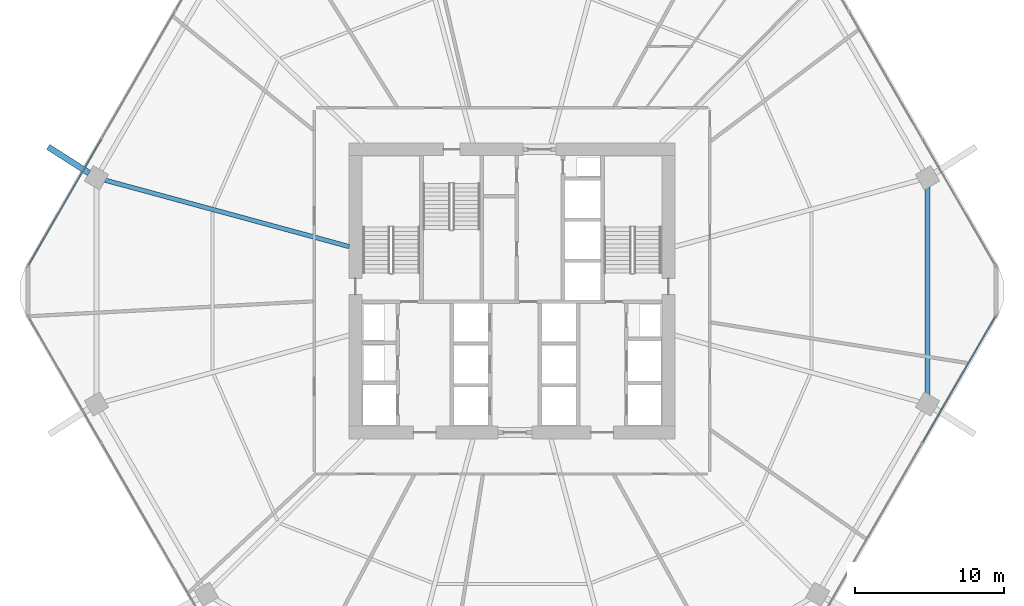
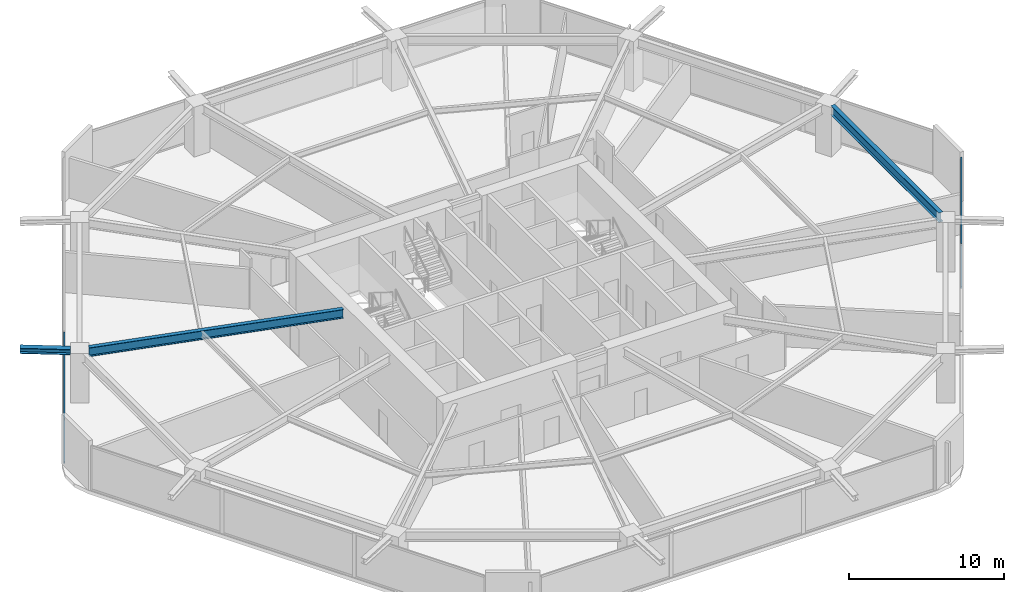
# One storey, part 12 of 26: 4 members, 3 beams, 2 elements without a shape of their own.
"""IFC4 building model written with IfcOpenShell, lengths in metres."""

from ifc_helpers import new_model, si_unit, direction, frame, origin, origin_2d, place, context, subcontext, project, spatial, hollow_rectangle, i_section, extrude, material, material_profile, profile_set, type_object, element, aggregate, save


model = new_model("IFC4")

# Units and contexts
model_context = context("Model", 3, precision=1e-05, world=origin(), true_north=direction((0.0, 1.0)))
body_context = subcontext(model_context, "Body", "Model", "MODEL_VIEW")
ifc_project = project(units=[si_unit("LENGTHUNIT", "METRE"), si_unit("AREAUNIT", "SQUARE_METRE"), si_unit("VOLUMEUNIT", "CUBIC_METRE"), si_unit("PLANEANGLEUNIT", "RADIAN"), si_unit("MASSUNIT", "GRAM", prefix="KILO")], contexts=[model_context])

# Site, building, storey
site_placement = place(None, origin())
site = spatial("IfcSite", under=ifc_project, at=site_placement, CompositionType="ELEMENT")
building_placement = place(site_placement, origin())
building = spatial("IfcBuilding", under=site, at=building_placement, Name="Zuhravey Tower", CompositionType="ELEMENT")
storey_placement = place(building_placement, frame((0.0, 0.0, 28.800048828125)))
storey = spatial("IfcBuildingStorey", under=building, at=storey_placement, Name="L07", CompositionType="ELEMENT", Elevation=28.800048828125)

# Curtain wall, members
ifc_material_1 = material(Name="Thermally broken anodised aluminium", Category="aluminium")
curtain_wall_type = type_object("IfcCurtainWallType", Name="School Low-E Unitised Curtain Wall CW1", PredefinedType="NOTDEFINED", material=ifc_material_1)
curtain_wall_1_placement = place(storey_placement, origin())
curtain_wall_1 = element("IfcCurtainWall", 1, at=curtain_wall_1_placement, inside=storey, type_object=curtain_wall_type, Name="L07 CW1 CW-L07-F6-1", PredefinedType="NOTDEFINED")
ifc_material_2 = material(Name="Anodised aluminium", Category="aluminium")
ifc_material_profile_1 = material_profile(ifc_material_2, hollow_rectangle(XDim=0.090087890625, YDim=0.14990234375, WallThickness=0.0048828125, at=origin_2d()), Name="ALU-RHS-90x150x5")
ifc_profile_set_1 = profile_set([ifc_material_profile_1], Name="Anodised aluminium")
member_type = type_object("IfcMemberType", Name="Curtain-Wall Transom 90x150", PredefinedType="USERDEFINED", material=ifc_profile_set_1)
member_1_placement = place(storey_placement, frame((68.43359375, 30.259521484375, 0.044921875), z_axis=(-0.500008393077, -0.866020557985, 0.0), x_axis=(0.866020557985, -0.500008393077, 0.0)))
member_1 = element("IfcMember", 2, at=member_1_placement, type_object=member_type, Name="CW1 transom 1.1", ObjectType="TRANSOM", PredefinedType="USERDEFINED", context=body_context, shape_type="SweptSolid", body=[
    extrude(hollow_rectangle(XDim=0.090087890625, YDim=0.14990234375, WallThickness=0.0048828125, at=origin_2d()), origin(), (0.0, 0.0, 1.0), 9.731201171875),
])
member_2_placement = place(storey_placement, frame((68.43359375, 30.259521484375, 3.447021484375), z_axis=(-0.500008393077, -0.866020557985, 0.0), x_axis=(0.866020557985, -0.500008393077, 0.0)))
member_2 = element("IfcMember", 3, at=member_2_placement, type_object=member_type, Name="CW1 transom 1.2", ObjectType="TRANSOM", PredefinedType="USERDEFINED", context=body_context, shape_type="SweptSolid", body=[
    extrude(hollow_rectangle(XDim=0.090087890625, YDim=0.14990234375, WallThickness=0.0048828125, at=origin_2d()), origin(), (0.0, 0.0, 1.0), 9.731201171875),
])
aggregate(curtain_wall_1, [member_1, member_2])

curtain_wall_2_placement = place(storey_placement, origin())
curtain_wall_2 = element("IfcCurtainWall", 4, at=curtain_wall_2_placement, inside=storey, type_object=curtain_wall_type, Name="L07 CW1 CW-L07-F3-1", PredefinedType="NOTDEFINED")
member_3_placement = place(storey_placement, frame((3.56640625, 33.740478515625, 0.044921875), z_axis=(0.500008393077, 0.866020557985, 0.0), x_axis=(-0.866020557985, 0.500008393077, 0.0)))
member_3 = element("IfcMember", 5, at=member_3_placement, type_object=member_type, Name="CW1 transom 1.1", ObjectType="TRANSOM", PredefinedType="USERDEFINED", context=body_context, shape_type="SweptSolid", body=[
    extrude(hollow_rectangle(XDim=0.090087890625, YDim=0.14990234375, WallThickness=0.0048828125, at=origin_2d()), origin(), (0.0, 0.0, 1.0), 9.731201171875),
])
member_4_placement = place(storey_placement, frame((3.56640625, 33.740478515625, 3.447021484375), z_axis=(0.500008393077, 0.866020557985, 0.0), x_axis=(-0.866020557985, 0.500008393077, 0.0)))
member_4 = element("IfcMember", 6, at=member_4_placement, type_object=member_type, Name="CW1 transom 1.2", ObjectType="TRANSOM", PredefinedType="USERDEFINED", context=body_context, shape_type="SweptSolid", body=[
    extrude(hollow_rectangle(XDim=0.090087890625, YDim=0.14990234375, WallThickness=0.0048828125, at=origin_2d()), origin(), (0.0, 0.0, 1.0), 9.731201171875),
])
aggregate(curtain_wall_2, [member_3, member_4])

# Beams
ifc_material_3 = material(Name="Steel SM460", Category="steel")
ifc_material_profile_2 = material_profile(ifc_material_3, i_section(OverallWidth=0.406982421875, OverallDepth=0.427978515625, WebThickness=0.02001953125, FlangeThickness=0.034912109375, at=origin_2d()), Name="H-428x407x20x35")
ifc_profile_set_2 = profile_set([ifc_material_profile_2], Name="Steel SM460")
beam_type_1 = type_object("IfcBeamType", Name="Exoskeleton Node Tie Beam H428x407", PredefinedType="BEAM", material=ifc_profile_set_2)
beam_1_placement = place(storey_placement, frame((7.6015625, 39.91748046875, 3.7060546875), z_axis=(-0.842345190435, 0.538938382517, 0.0), x_axis=(-0.538938382517, -0.842345190435, 0.0)))
element("IfcBeam", 7, at=beam_1_placement, inside=storey, type_object=beam_type_1, Name="L07 Exoskeleton Node Tie NT1-06", PredefinedType="BEAM", context=body_context, shape_type="SweptSolid", body=[
    extrude(i_section(OverallWidth=0.406982421875, OverallDepth=0.427978515625, WebThickness=0.02001953125, FlangeThickness=0.034912109375, at=origin_2d()), origin(), (0.0, 0.0, 1.0), 3.244384765625),
])
ifc_material_4 = material(Name="Steel SM355", Category="steel")
ifc_material_profile_3 = material_profile(ifc_material_4, i_section(OverallWidth=0.320068359375, OverallDepth=0.75, WebThickness=0.013916015625, FlangeThickness=0.02490234375, at=origin_2d()), Name="H-750x320x14x25")
ifc_profile_set_3 = profile_set([ifc_material_profile_3], Name="Steel SM355")
beam_type_2 = type_object("IfcBeamType", Name="Perimeter Ring Beam H750x320", PredefinedType="BEAM", material=ifc_profile_set_3)
beam_2_placement = place(storey_placement, frame((63.88916015625, 25.011474609375, 3.544921875), z_axis=(0.0, 1.0, 0.0), x_axis=(-1.0, 0.0, 0.0)))
element("IfcBeam", 8, at=beam_2_placement, inside=storey, type_object=beam_type_2, Name="L07 PB1 BM-L07-PB-12", PredefinedType="BEAM", context=body_context, shape_type="SweptSolid", body=[
    extrude(i_section(OverallWidth=0.320068359375, OverallDepth=0.75, WebThickness=0.013916015625, FlangeThickness=0.02490234375, at=origin_2d()), origin(), (0.0, 0.0, 1.0), 13.97705078125),
])
ifc_material_profile_4 = material_profile(ifc_material_4, i_section(OverallWidth=0.300048828125, OverallDepth=0.699951171875, WebThickness=0.012939453125, FlangeThickness=0.02392578125, at=origin_2d()), Name="H-700x300x13x24")
ifc_profile_set_4 = profile_set([ifc_material_profile_4], Name="Steel SM355")
beam_type_3 = type_object("IfcBeamType", Name="Radial Primary Girder H700x300", PredefinedType="BEAM", material=ifc_profile_set_4)
beam_3_placement = place(storey_placement, frame((25.072021484375, 34.974609375, 3.570068359375), z_axis=(-0.964892480455, 0.26264520015, 0.0), x_axis=(-0.26264520015, -0.964892480455, 0.0)))
element("IfcBeam", 9, at=beam_3_placement, inside=storey, type_object=beam_type_3, Name="L07 RG1 BM-L07-RAD-06", PredefinedType="BEAM", context=body_context, shape_type="SweptSolid", body=[
    extrude(i_section(OverallWidth=0.300048828125, OverallDepth=0.699951171875, WebThickness=0.012939453125, FlangeThickness=0.02392578125, at=origin_2d()), origin(), (0.0, 0.0, 1.0), 16.975341796875),
])

save(model, "model.ifc")
